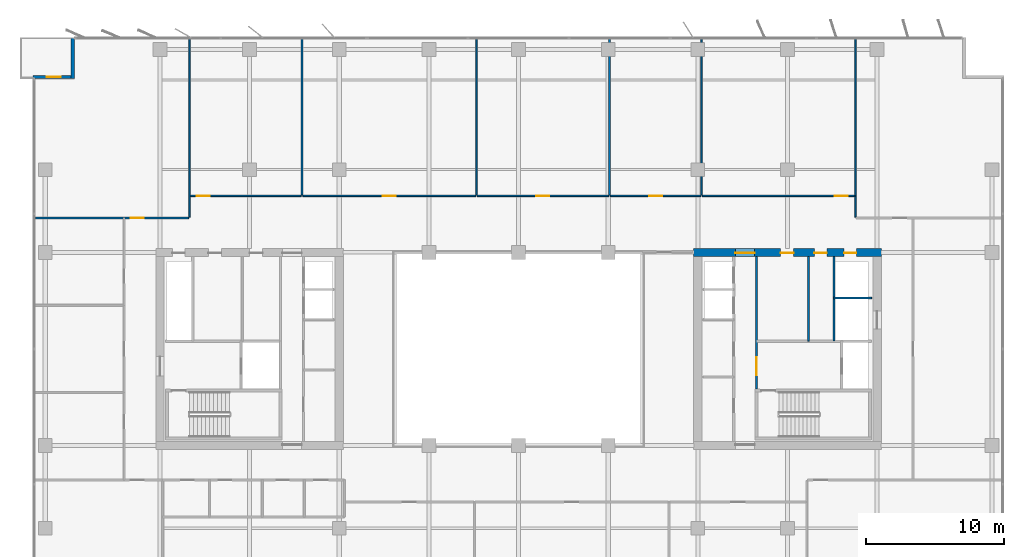
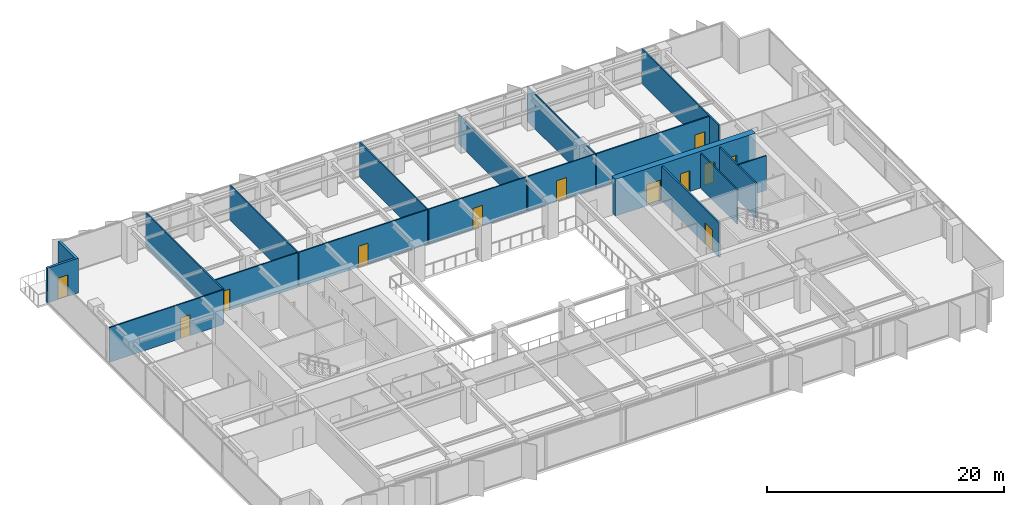
# One storey, part 17 of 22: 19 walls, 12 doors, 12 openings.
"""IFC4 building model written with IfcOpenShell, lengths in metres."""

import ifcopenshell
import ifcopenshell.guid

model = None  # the IFC model being written
_history = None  # IfcOwnerHistory: only IFC2X3 demands one
_inside = {}  # id of a spatial element -> (the spatial element, [elements in it])
_under = {}  # id of a project, library or spatial element -> (it, [spatial elements below it])
_declared = {}  # id of a project -> (the project, [libraries it declares])
_typed = {}  # id of a type object -> (the type object, [elements of that type])
_made_of = {}  # id of a material, layer set ... -> (it, [elements and type objects made of it])


def new_model(schema):
    """Start an empty IFC model of exactly this schema.

    Asked for "IFC4X3", IfcOpenShell would pick the latest addendum, in which some entities
    have other attributes; the version numbers below select the first issue.
    IFC2X3 requires an IfcOwnerHistory on every rooted entity: one is made here for all.
    """
    global model, _history
    if schema == "IFC4X3":
        model = ifcopenshell.file(schema_version=(4, 3, 0, 0))
    else:
        model = ifcopenshell.file(schema=schema)
    _inside.clear()
    _under.clear()
    _declared.clear()
    _typed.clear()
    _made_of.clear()
    _history = None
    if model.schema == "IFC2X3":
        org = make("IfcOrganization", Name="unknown")
        user = make(
            "IfcPersonAndOrganization",
            ThePerson=make("IfcPerson", FamilyName="unknown"),
            TheOrganization=org,
        )
        app = make(
            "IfcApplication",
            ApplicationDeveloper=org,
            Version="unknown",
            ApplicationFullName="unknown",
            ApplicationIdentifier="unknown",
        )
        _history = make(
            "IfcOwnerHistory",
            OwningUser=user,
            OwningApplication=app,
            ChangeAction="ADDED",
            CreationDate=0,
        )
    return model


def make(cls, **values):
    """One entity of the class cls with the attributes given. An attribute that is None is left unset."""
    return model.create_entity(
        cls, **{name: value for name, value in values.items() if value is not None}
    )


def rooted(cls, **values):
    """An entity with a GlobalId (a new one), such as an element, a storey or a relation."""
    return make(cls, GlobalId=ifcopenshell.guid.new(), OwnerHistory=_history, **values)


def si_unit(unit_type, name, prefix=None):
    """IfcSIUnit, for example si_unit("LENGTHUNIT", "METRE", prefix="MILLI")."""
    return make("IfcSIUnit", UnitType=unit_type, Prefix=prefix, Name=name)


def assignment(units):
    """IfcUnitAssignment: the units of a project."""
    return None if units is None else make("IfcUnitAssignment", Units=units)


def point(xyz):
    """IfcCartesianPoint."""
    return None if xyz is None else make("IfcCartesianPoint", Coordinates=xyz)


def direction(xyz):
    """IfcDirection."""
    return None if xyz is None else make("IfcDirection", DirectionRatios=xyz)


def frame(location, z_axis=None, x_axis=None):
    """IfcAxis2Placement3D, a coordinate frame: its origin and axes. An axis left out is left unset."""
    return make(
        "IfcAxis2Placement3D",
        Location=point(location),
        Axis=direction(z_axis),
        RefDirection=direction(x_axis),
    )


def frame_2d(location, x_axis=None):
    """IfcAxis2Placement2D, a coordinate frame in the plane: its origin and x axis."""
    return make(
        "IfcAxis2Placement2D", Location=point(location), RefDirection=direction(x_axis)
    )


def origin():
    """The frame at (0, 0, 0) with its axes left unset."""
    return frame((0.0, 0.0, 0.0))


def place(relative_to, where):
    """IfcLocalPlacement: puts the frame where relative to a parent placement (None: the world)."""
    return make(
        "IfcLocalPlacement", PlacementRelTo=relative_to, RelativePlacement=where
    )


def context(
    kind, dimensions, precision=None, world=None, true_north=None, identifier=None
):
    """IfcGeometricRepresentationContext, for example the 3D "Model" context."""
    return make(
        "IfcGeometricRepresentationContext",
        ContextIdentifier=identifier,
        ContextType=kind,
        CoordinateSpaceDimension=dimensions,
        Precision=precision,
        WorldCoordinateSystem=world,
        TrueNorth=true_north,
    )


def subcontext(parent, identifier, kind, view, scale=None):
    """IfcGeometricRepresentationSubContext, for example "Body" below "Model"."""
    return make(
        "IfcGeometricRepresentationSubContext",
        ContextIdentifier=identifier,
        ContextType=kind,
        ParentContext=parent,
        TargetScale=scale,
        TargetView=view,
    )


def project(units=None, contexts=None):
    """IfcProject with its units and contexts."""
    return rooted(
        "IfcProject",
        Name="project",
        RepresentationContexts=contexts,
        UnitsInContext=assignment(units),
    )


def spatial(cls, under=None, at=None, **own):
    """A site, building, storey or space (cls), placed at a placement, below another one or the project."""
    s = rooted(cls, ObjectPlacement=at, **own)
    if under is not None:
        _under.setdefault(under.id(), (under, []))[1].append(s)
    return s


def profile(cls, at=None, kind="AREA", **sizes):
    """A parametric profile (cls). Its sizes go by their IFC names, for example OverallWidth=200.0."""
    return make(cls, ProfileType=kind, Position=at, **sizes)


def rectangle(**sizes):
    """IfcRectangleProfileDef."""
    return profile("IfcRectangleProfileDef", **sizes)


def extrude(swept, where, along, depth):
    """IfcExtrudedAreaSolid: the profile swept, set in the frame where, extruded along a direction by depth."""
    return make(
        "IfcExtrudedAreaSolid",
        SweptArea=swept,
        Position=where,
        ExtrudedDirection=direction(along),
        Depth=depth,
    )


def shape(context_of_items, identifier, shape_type, items):
    """IfcShapeRepresentation: the items that make up one representation, for example the "Body"."""
    return make(
        "IfcShapeRepresentation",
        ContextOfItems=context_of_items,
        RepresentationIdentifier=identifier,
        RepresentationType=shape_type,
        Items=items,
    )


def material(Name=None, Category=None):
    """IfcMaterial."""
    return make("IfcMaterial", Name=Name, Category=Category)


def layer(
    of_material, thickness, ventilated=None, Name=None, Category=None, Priority=None
):
    """IfcMaterialLayer: one layer of a wall or slab, of a material (None: an air gap)."""
    return make(
        "IfcMaterialLayer",
        Material=of_material,
        LayerThickness=thickness,
        IsVentilated=ventilated,
        Name=Name,
        Category=Category,
        Priority=Priority,
    )


def layer_set(layers, Name=None):
    """IfcMaterialLayerSet."""
    return make("IfcMaterialLayerSet", MaterialLayers=layers, LayerSetName=Name)


def made_of(thing, what):
    """Note that an element or type object is made of a material, layer set ...; save() writes the relation."""
    if what is not None:
        _made_of.setdefault(what.id(), (what, []))[1].append(thing)
    return thing


def type_object(cls, material=None, **own):
    """A type object (cls), such as IfcWallType, which elements share."""
    return made_of(rooted(cls, **own), material)


def element(
    cls,
    number,
    at=None,
    inside=None,
    cuts=None,
    type_object=None,
    material=None,
    context=None,
    identifier="Body",
    shape_type=None,
    held_by="IfcProductDefinitionShape",
    body=None,
    shapes=None,
    **own,
):
    """One element of the class cls, such as IfcWall. Its Tag is "e" and its number.

    at: its placement. inside: the storey or other place that contains it. cuts: it is an
    opening in that element (IfcRelVoidsElement). A single representation is given by context,
    identifier, shape_type and body (its items); several are given by shapes. held_by: the class
    of the entity that holds the representations. save() writes the other relations.
    """
    e = rooted(cls, Tag="e%d" % number, ObjectPlacement=at, **own)
    if body is not None:
        shapes = [shape(context, identifier, shape_type, body)]
    if shapes is not None:
        e.Representation = make(held_by, Representations=shapes)
    if inside is not None:
        _inside.setdefault(inside.id(), (inside, []))[1].append(e)
    if cuts is not None:
        rooted(
            "IfcRelVoidsElement", RelatingBuildingElement=cuts, RelatedOpeningElement=e
        )
    if type_object is not None:
        _typed.setdefault(type_object.id(), (type_object, []))[1].append(e)
    return made_of(e, material)


def fill(opening, filler):
    """IfcRelFillsElement: the door or window that sits in an opening."""
    return rooted(
        "IfcRelFillsElement",
        RelatingOpeningElement=opening,
        RelatedBuildingElement=filler,
    )


def aggregate(whole, parts):
    """IfcRelAggregates: a whole, such as a stair, and the parts it consists of."""
    return rooted("IfcRelAggregates", RelatingObject=whole, RelatedObjects=parts)


def save(model, path):
    """Write the relations noted so far, then the file.

    IfcRelAggregates (storeys below a building ...), IfcRelContainedInSpatialStructure (elements
    in a storey), IfcRelDefinesByType, IfcRelAssociatesMaterial and IfcRelDeclares: one each for
    every whole, place, type object, material and project.
    """
    for whole, parts in _under.values():
        aggregate(whole, parts)
    for where, things in _inside.values():
        rooted(
            "IfcRelContainedInSpatialStructure",
            RelatedElements=things,
            RelatingStructure=where,
        )
    for kind, things in _typed.values():
        rooted("IfcRelDefinesByType", RelatedObjects=things, RelatingType=kind)
    for what, things in _made_of.values():
        rooted("IfcRelAssociatesMaterial", RelatedObjects=things, RelatingMaterial=what)
    for by, libraries in _declared.values():
        rooted("IfcRelDeclares", RelatingContext=by, RelatedDefinitions=libraries)
    model.write(path)


model = new_model("IFC4")

# Units and contexts
model_context = context("Model", 3, precision=1e-05, world=origin(), true_north=direction((0.0, 1.0)))
body_context = subcontext(model_context, "Body", "Model", "MODEL_VIEW")
ifc_project = project(units=[si_unit("LENGTHUNIT", "METRE"), si_unit("AREAUNIT", "SQUARE_METRE"), si_unit("VOLUMEUNIT", "CUBIC_METRE"), si_unit("PLANEANGLEUNIT", "RADIAN"), si_unit("MASSUNIT", "GRAM", prefix="KILO")], contexts=[model_context])

# Site, building, storey
site_placement = place(None, origin())
site = spatial("IfcSite", under=ifc_project, at=site_placement, CompositionType="ELEMENT")
building_placement = place(site_placement, origin())
building = spatial("IfcBuilding", under=site, at=building_placement, Name="Putna Gate Headquarters", CompositionType="ELEMENT")
storey_placement = place(building_placement, frame((0.0, 0.0, 151.800048828125)))
storey = spatial("IfcBuildingStorey", under=building, at=storey_placement, Name="L37", CompositionType="ELEMENT", Elevation=151.800048828125)

# Wall, openings, doors
ifc_material_1 = material(Name="Concrete C50/60", Category="concrete")
ifc_layer_1 = layer(ifc_material_1, 0.60009765625)
ifc_layer_set_1 = layer_set([ifc_layer_1], Name="Concrete C50/60")
wall_type_1 = type_object("IfcWallType", Name="WALL-CORE-600", PredefinedType="SHEAR", material=ifc_layer_set_1)
wall_1_placement = place(storey_placement, frame((51.699951171875, 33.0, 0.0), z_axis=(0.0, 0.0, 1.0), x_axis=(1.0, 0.0, 0.0)))
wall_1 = element("IfcWall", 1, at=wall_1_placement, inside=storey, type_object=wall_type_1, Name="L37 EC Split Core Shear Wall N", PredefinedType="SHEAR", context=body_context, shape_type="SweptSolid", body=[
    extrude(rectangle(XDim=13.60009765625, YDim=0.60009765625, at=frame_2d((6.800048828125, 0.0))), origin(), (0.0, 0.0, 1.0), 3.800048828125),
])
opening_1_placement = place(wall_1_placement, frame((3.02001953125, 0.0, 0.0)))
opening_1 = element("IfcOpeningElement", 2, at=opening_1_placement, cuts=wall_1, Name="Opening FDD-140", PredefinedType="OPENING", context=body_context, shape_type="SweptSolid", body=[
    extrude(rectangle(XDim=1.39990234375, YDim=2.199951171875, at=frame_2d((0.699951171875, 1.10009765625))), frame((0.0, 0.31005859375, 0.0), z_axis=(0.0, -1.0, 0.0), x_axis=(1.0, 0.0, 0.0)), (0.0, 0.0, 1.0), 0.6201171875),
])
opening_2_placement = place(wall_1_placement, frame((10.89990234375, 0.0, 0.0)))
opening_2 = element("IfcOpeningElement", 3, at=opening_2_placement, cuts=wall_1, Name="Opening RD-90", PredefinedType="OPENING", context=body_context, shape_type="SweptSolid", body=[
    extrude(rectangle(XDim=0.89990234375, YDim=2.14990234375, at=frame_2d((0.449951171875, 1.074951171875))), frame((0.0, 0.31005859375, 0.0), z_axis=(0.0, -1.0, 0.0), x_axis=(1.0, 0.0, 0.0)), (0.0, 0.0, 1.0), 0.6201171875),
])
opening_3_placement = place(wall_1_placement, frame((6.300048828125, 0.0, 0.0)))
opening_3 = element("IfcOpeningElement", 4, at=opening_3_placement, cuts=wall_1, Name="Opening IDS-95", PredefinedType="OPENING", context=body_context, shape_type="SweptSolid", body=[
    extrude(rectangle(XDim=0.949951171875, YDim=2.14990234375, at=frame_2d((0.47509765625, 1.074951171875))), frame((0.0, 0.31005859375, 0.0), z_axis=(0.0, -1.0, 0.0), x_axis=(1.0, 0.0, 0.0)), (0.0, 0.0, 1.0), 0.6201171875),
])
opening_4_placement = place(wall_1_placement, frame((8.75, 0.0, 0.0)))
opening_4 = element("IfcOpeningElement", 5, at=opening_4_placement, cuts=wall_1, Name="Opening IDS-90", PredefinedType="OPENING", context=body_context, shape_type="SweptSolid", body=[
    extrude(rectangle(XDim=0.89990234375, YDim=2.14990234375, at=frame_2d((0.449951171875, 1.074951171875))), frame((0.0, 0.31005859375, 0.0), z_axis=(0.0, -1.0, 0.0), x_axis=(1.0, 0.0, 0.0)), (0.0, 0.0, 1.0), 0.6201171875),
])
ifc_material_2 = material(Name="Double steel fire door", Category="steel")
door_type_1 = type_object("IfcDoorType", Name="DOOR-FIRE-DBL-1400", OperationType="DOUBLE_DOOR_SINGLE_SWING", PredefinedType="DOOR", material=ifc_material_2)
door_1_placement = place(opening_1_placement, origin())
door_1 = element("IfcDoor", 6, at=door_1_placement, inside=storey, type_object=door_type_1, Name="L37 East Lift Lobby North Door", OperationType="DOUBLE_DOOR_SINGLE_SWING", OverallHeight=2.199951171875, OverallWidth=1.39990234375, PredefinedType="DOOR", context=body_context, shape_type="SweptSolid", body=[
    extrude(rectangle(XDim=1.39990234375, YDim=2.199951171875, at=frame_2d((0.699951171875, 1.10009765625))), frame((0.0, -0.02490234375, 0.0), z_axis=(0.0, -1.0, 0.0), x_axis=(1.0, 0.0, 0.0)), (0.0, 0.0, 1.0), 0.050048828125),
])
fill(opening_1, door_1)
ifc_material_3 = material(Name="Fire-rated utility door")
door_type_2 = type_object("IfcDoorType", Name="DOOR-INT-900", OperationType="NOTDEFINED", PredefinedType="DOOR", material=ifc_material_3)
door_2_placement = place(opening_4_placement, origin())
door_2 = element("IfcDoor", 7, at=door_2_placement, inside=storey, type_object=door_type_2, Name="L37 Electrical Plant Door", OperationType="SINGLE_SWING_LEFT", OverallHeight=2.14990234375, OverallWidth=0.89990234375, PredefinedType="DOOR", context=body_context, shape_type="SweptSolid", body=[
    extrude(rectangle(XDim=0.89990234375, YDim=2.14990234375, at=frame_2d((0.449951171875, 1.074951171875))), frame((0.0, -0.02490234375, 0.0), z_axis=(0.0, -1.0, 0.0), x_axis=(1.0, 0.0, 0.0)), (0.0, 0.0, 1.0), 0.050048828125),
])
fill(opening_4, door_2)
ifc_material_4 = material(Name="Fire-rated service timber door", Category="wood")
door_type_3 = type_object("IfcDoorType", Name="DOOR-INT-950", OperationType="NOTDEFINED", PredefinedType="DOOR", material=ifc_material_4)
door_3_placement = place(opening_3_placement, origin())
door_3 = element("IfcDoor", 8, at=door_3_placement, inside=storey, type_object=door_type_3, Name="L37 East Store Door", OperationType="SINGLE_SWING_RIGHT", OverallHeight=2.14990234375, OverallWidth=0.949951171875, PredefinedType="DOOR", context=body_context, shape_type="SweptSolid", body=[
    extrude(rectangle(XDim=0.949951171875, YDim=2.14990234375, at=frame_2d((0.47509765625, 1.074951171875))), frame((0.0, -0.02490234375, 0.0), z_axis=(0.0, -1.0, 0.0), x_axis=(1.0, 0.0, 0.0)), (0.0, 0.0, 1.0), 0.050048828125),
])
fill(opening_3, door_3)
ifc_material_5 = material(Name="Steel riser access fire door", Category="steel")
door_type_4 = type_object("IfcDoorType", Name="DOOR-RISER-900", OperationType="NOTDEFINED", PredefinedType="DOOR", material=ifc_material_5)
door_4_placement = place(opening_2_placement, origin())
door_4 = element("IfcDoor", 9, at=door_4_placement, inside=storey, type_object=door_type_4, Name="L37 East Riser Access Door", OperationType="SINGLE_SWING_LEFT", OverallHeight=2.14990234375, OverallWidth=0.89990234375, PredefinedType="DOOR", context=body_context, shape_type="SweptSolid", body=[
    extrude(rectangle(XDim=0.89990234375, YDim=2.14990234375, at=frame_2d((0.449951171875, 1.074951171875))), frame((0.0, -0.02490234375, 0.0), z_axis=(0.0, -1.0, 0.0), x_axis=(1.0, 0.0, 0.0)), (0.0, 0.0, 1.0), 0.050048828125),
])
fill(opening_2, door_4)

# Wall
ifc_material_6 = material(Name="Precast concrete C40/50", Category="concrete")
ifc_layer_2 = layer(ifc_material_6, 0.239990234375)
ifc_layer_set_2 = layer_set([ifc_layer_2], Name="Precast concrete C40/50")
wall_type_2 = type_object("IfcWallType", Name="WALL-EXT-TERR-240", PredefinedType="STANDARD", material=ifc_layer_set_2)
wall_2_placement = place(storey_placement, frame((6.679931640625, 45.60009765625, 0.0), z_axis=(0.0, 0.0, 1.0), x_axis=(0.0, 1.0, 0.0)))
element("IfcWall", 10, at=wall_2_placement, inside=storey, type_object=wall_type_2, Name="L37 Corner Notch Return Wall NW-V", PredefinedType="STANDARD", context=body_context, shape_type="SweptSolid", body=[
    extrude(rectangle(XDim=3.0, YDim=0.239990234375, at=frame_2d((1.5, 0.0))), origin(), (0.0, 0.0, 1.0), 3.572021484375),
])

# Wall, opening, door
wall_3_placement = place(storey_placement, frame((3.800048828125, 45.719970703125, 0.0), z_axis=(0.0, 0.0, 1.0), x_axis=(1.0, 0.0, 0.0)))
wall_3 = element("IfcWall", 11, at=wall_3_placement, inside=storey, type_object=wall_type_2, Name="L37 Corner Notch Return Wall NW-H", PredefinedType="STANDARD", context=body_context, shape_type="SweptSolid", body=[
    extrude(rectangle(XDim=3.0, YDim=0.239990234375, at=frame_2d((1.5, 0.0))), origin(), (0.0, 0.0, 1.0), 3.572021484375),
])
opening_5_placement = place(wall_3_placement, frame((1.0, 0.0, 0.0)))
opening_5 = element("IfcOpeningElement", 12, at=opening_5_placement, cuts=wall_3, Name="Opening TRD-1", PredefinedType="OPENING", context=body_context, shape_type="SweptSolid", body=[
    extrude(rectangle(XDim=1.0, YDim=2.199951171875, at=frame_2d((0.5, 1.10009765625))), frame((0.0, 0.1298828125, 0.0), z_axis=(0.0, -1.0, 0.0), x_axis=(1.0, 0.0, 0.0)), (0.0, 0.0, 1.0), 0.260009765625),
])
ifc_material_7 = material(Name="Thermally broken bronze glazed terrace door")
door_type_5 = type_object("IfcDoorType", Name="DOOR-TERR-EXT-1000", OperationType="NOTDEFINED", PredefinedType="DOOR", material=ifc_material_7)
door_5_placement = place(opening_5_placement, origin())
door_5 = element("IfcDoor", 13, at=door_5_placement, inside=storey, type_object=door_type_5, Name="L37 Spiral Sky Terrace Door NW", OperationType="SINGLE_SWING_RIGHT", OverallHeight=2.199951171875, OverallWidth=1.0, PredefinedType="DOOR", context=body_context, shape_type="SweptSolid", body=[
    extrude(rectangle(XDim=1.0, YDim=2.199951171875, at=frame_2d((0.5, 1.10009765625))), frame((0.0, 0.02490234375, 0.0), z_axis=(0.0, -1.0, 0.0), x_axis=(1.0, 0.0, 0.0)), (0.0, 0.0, 1.0), 0.050048828125),
])
fill(opening_5, door_5)

# Walls
ifc_material_8 = material(Name="Acoustic gypsum board on metal stud")
ifc_layer_3 = layer(ifc_material_8, 0.1201171875)
ifc_layer_set_3 = layer_set([ifc_layer_3], Name="Acoustic gypsum board on metal stud")
wall_type_3 = type_object("IfcWallType", Name="WALL-PART-120", PredefinedType="PARTITIONING", material=ifc_layer_set_3)
wall_4_placement = place(storey_placement, frame((15.13037109375, 35.56005859375, 0.0), z_axis=(0.0, 0.0, 1.0), x_axis=(0.0, 1.0, 0.0)))
element("IfcWall", 14, at=wall_4_placement, inside=storey, type_object=wall_type_3, Name="L37 Interior Wall PART-L37-NB-DIV-01", PredefinedType="PARTITIONING", context=body_context, shape_type="SweptSolid", body=[
    extrude(rectangle(XDim=13.02001953125, YDim=0.1201171875, at=frame_2d((6.510009765625, 0.0))), origin(), (0.0, 0.0, 1.0), 3.572021484375),
])
for number, where, z_axis, x_axis, name in (
    (15, (23.297119140625, 37.159912109375, 0.0), (0.0, 0.0, 1.0), (0.0, 1.0, 0.0), "L37 Interior Wall PART-L37-NB-DIV-02"),
    (16, (35.939208984375, 37.159912109375, 0.0), (0.0, 0.0, 1.0), (0.0, 1.0, 0.0), "L37 Interior Wall PART-L37-NB-DIV-03"),
):
    element("IfcWall", number, at=place(storey_placement, frame(where, z_axis=z_axis, x_axis=x_axis)), inside=storey, type_object=wall_type_3, Name=name, PredefinedType="PARTITIONING", context=body_context, shape_type="SweptSolid", body=[
        extrude(rectangle(XDim=11.420166015625, YDim=0.1201171875, at=frame_2d((5.7099609375, 0.0))), origin(), (0.0, 0.0, 1.0), 3.572021484375),
    ])
wall_5_placement = place(storey_placement, frame((45.597900390625, 37.159912109375, 0.0), z_axis=(0.0, 0.0, 1.0), x_axis=(0.0, 1.0, 0.0)))
element("IfcWall", 17, at=wall_5_placement, inside=storey, type_object=wall_type_3, Name="L37 Interior Wall PART-L37-NB-DIV-04", PredefinedType="PARTITIONING", context=body_context, shape_type="SweptSolid", body=[
    extrude(rectangle(XDim=11.420166015625, YDim=0.1201171875, at=frame_2d((5.7099609375, 0.0))), origin(), (0.0, 0.0, 1.0), 3.02197265625),
])
wall_6_placement = place(storey_placement, frame((52.272705078125, 37.159912109375, 0.0), z_axis=(0.0, 0.0, 1.0), x_axis=(0.0, 1.0, 0.0)))
element("IfcWall", 18, at=wall_6_placement, inside=storey, type_object=wall_type_3, Name="L37 Interior Wall PART-L37-NB-DIV-05", PredefinedType="PARTITIONING", context=body_context, shape_type="SweptSolid", body=[
    extrude(rectangle(XDim=11.420166015625, YDim=0.1201171875, at=frame_2d((5.7099609375, 0.0))), origin(), (0.0, 0.0, 1.0), 3.572021484375),
])
wall_7_placement = place(storey_placement, frame((63.4228515625, 35.56005859375, 0.0), z_axis=(0.0, 0.0, 1.0), x_axis=(0.0, 1.0, 0.0)))
element("IfcWall", 19, at=wall_7_placement, inside=storey, type_object=wall_type_3, Name="L37 Interior Wall PART-L37-NB-DIV-06", PredefinedType="PARTITIONING", context=body_context, shape_type="SweptSolid", body=[
    extrude(rectangle(XDim=13.02001953125, YDim=0.1201171875, at=frame_2d((6.510009765625, 0.0))), origin(), (0.0, 0.0, 1.0), 3.572021484375),
])
ifc_material_9 = material(Name="Fire-rated shaftwall gypsum board on metal stud")
ifc_layer_4 = layer(ifc_material_9, 0.1201171875)
ifc_layer_set_4 = layer_set([ifc_layer_4], Name="Fire-rated shaftwall gypsum board on metal stud")
wall_type_4 = type_object("IfcWallType", Name="WALL-PART-120-EI120", PredefinedType="PARTITIONING", material=ifc_layer_set_4)
wall_8_placement = place(storey_placement, frame((61.8701171875, 29.699951171875, 0.0), z_axis=(0.0, 0.0, 1.0), x_axis=(1.0, 0.0, 0.0)))
element("IfcWall", 20, at=wall_8_placement, inside=storey, type_object=wall_type_4, Name="L37 Interior Wall CWINT-L37-EC-LF15-N", PredefinedType="PARTITIONING", context=body_context, shape_type="SweptSolid", body=[
    extrude(rectangle(XDim=2.72998046875, YDim=0.1201171875, at=frame_2d((1.364990234375, 0.0))), origin(), (0.0, 0.0, 1.0), 3.572021484375),
])
ifc_material_10 = material(Name="Fire-rated gypsum board on metal stud")
ifc_layer_5 = layer(ifc_material_10, 0.1201171875)
ifc_layer_set_5 = layer_set([ifc_layer_5], Name="Fire-rated gypsum board on metal stud")
wall_type_5 = type_object("IfcWallType", Name="WALL-PART-120-RATED", PredefinedType="PARTITIONING", material=ifc_layer_set_5)
wall_9_placement = place(storey_placement, frame((60.02001953125, 26.56005859375, 0.0), z_axis=(0.0, 0.0, 1.0), x_axis=(0.0, 1.0, 0.0)))
element("IfcWall", 21, at=wall_9_placement, inside=storey, type_object=wall_type_5, Name="L37 Interior Wall CWINT-L37-EC-K0-DIV", PredefinedType="PARTITIONING", context=body_context, shape_type="SweptSolid", body=[
    extrude(rectangle(XDim=6.139892578125, YDim=0.1201171875, at=frame_2d((3.06982421875, 0.0))), origin(), (0.0, 0.0, 1.0), 3.572021484375),
])

# Wall, opening, door
wall_10_placement = place(storey_placement, frame((3.97998046875, 35.5, 0.0), z_axis=(0.0, 0.0, 1.0), x_axis=(1.0, 0.0, 0.0)))
wall_10 = element("IfcWall", 22, at=wall_10_placement, inside=storey, type_object=wall_type_5, Name="L37 Interior Wall PART-L37-NB-CW-01", PredefinedType="PARTITIONING", context=body_context, shape_type="SweptSolid", body=[
    extrude(rectangle(XDim=11.09033203125, YDim=0.1201171875, at=frame_2d((5.545166015625, 0.0))), origin(), (0.0, 0.0, 1.0), 3.572021484375),
])
opening_6_placement = place(wall_10_placement, frame((6.89990234375, 0.0, 0.0)))
opening_6 = element("IfcOpeningElement", 23, at=opening_6_placement, cuts=wall_10, Name="Opening FD-95", PredefinedType="OPENING", context=body_context, shape_type="SweptSolid", body=[
    extrude(rectangle(XDim=0.949951171875, YDim=2.14990234375, at=frame_2d((0.47509765625, 1.074951171875))), frame((0.0, 0.070068359375, 0.0), z_axis=(0.0, -1.0, 0.0), x_axis=(1.0, 0.0, 0.0)), (0.0, 0.0, 1.0), 0.14013671875),
])
ifc_material_11 = material(Name="Acoustic timber fire door", Category="wood")
door_type_6 = type_object("IfcDoorType", Name="DOOR-FIRE-950", OperationType="NOTDEFINED", PredefinedType="DOOR", material=ifc_material_11)
door_6_placement = place(opening_6_placement, origin())
door_6 = element("IfcDoor", 24, at=door_6_placement, inside=storey, type_object=door_type_6, Name="L37 Cellular Office 1 Door", OperationType="SINGLE_SWING_RIGHT", OverallHeight=2.14990234375, OverallWidth=0.949951171875, PredefinedType="DOOR", context=body_context, shape_type="SweptSolid", body=[
    extrude(rectangle(XDim=0.949951171875, YDim=2.14990234375, at=frame_2d((0.47509765625, 1.074951171875))), frame((0.0, 0.02490234375, 0.0), z_axis=(0.0, -1.0, 0.0), x_axis=(1.0, 0.0, 0.0)), (0.0, 0.0, 1.0), 0.050048828125),
])
fill(opening_6, door_6)

wall_11_placement = place(storey_placement, frame((15.1904296875, 37.10009765625, 0.0), z_axis=(0.0, 0.0, 1.0), x_axis=(1.0, 0.0, 0.0)))
wall_11 = element("IfcWall", 25, at=wall_11_placement, inside=storey, type_object=wall_type_5, Name="L37 Interior Wall PART-L37-NB-CW-02", PredefinedType="PARTITIONING", context=body_context, shape_type="SweptSolid", body=[
    extrude(rectangle(XDim=8.046630859375, YDim=0.1201171875, at=frame_2d((4.0234375, 0.0))), origin(), (0.0, 0.0, 1.0), 3.572021484375),
])
opening_7_placement = place(wall_11_placement, frame((0.47998046875, 0.0, 0.0)))
opening_7 = element("IfcOpeningElement", 26, at=opening_7_placement, cuts=wall_11, Name="Opening FD-95", PredefinedType="OPENING", context=body_context, shape_type="SweptSolid", body=[
    extrude(rectangle(XDim=0.949951171875, YDim=2.14990234375, at=frame_2d((0.47509765625, 1.074951171875))), frame((0.0, 0.070068359375, 0.0), z_axis=(0.0, -1.0, 0.0), x_axis=(1.0, 0.0, 0.0)), (0.0, 0.0, 1.0), 0.14013671875),
])
door_7_placement = place(opening_7_placement, origin())
door_7 = element("IfcDoor", 27, at=door_7_placement, inside=storey, type_object=door_type_6, Name="L37 Conference Meeting Room 2 Door", OperationType="SINGLE_SWING_LEFT", OverallHeight=2.14990234375, OverallWidth=0.949951171875, PredefinedType="DOOR", context=body_context, shape_type="SweptSolid", body=[
    extrude(rectangle(XDim=0.949951171875, YDim=2.14990234375, at=frame_2d((0.47509765625, 1.074951171875))), frame((0.0, 0.02490234375, 0.0), z_axis=(0.0, -1.0, 0.0), x_axis=(1.0, 0.0, 0.0)), (0.0, 0.0, 1.0), 0.050048828125),
])
fill(opening_7, door_7)

wall_12_placement = place(storey_placement, frame((23.35693359375, 37.10009765625, 0.0), z_axis=(0.0, 0.0, 1.0), x_axis=(1.0, 0.0, 0.0)))
wall_12 = element("IfcWall", 28, at=wall_12_placement, inside=storey, type_object=wall_type_5, Name="L37 Interior Wall PART-L37-NB-CW-03", PredefinedType="PARTITIONING", context=body_context, shape_type="SweptSolid", body=[
    extrude(rectangle(XDim=12.5224609375, YDim=0.1201171875, at=frame_2d((6.26123046875, 0.0))), origin(), (0.0, 0.0, 1.0), 3.572021484375),
])
opening_8_placement = place(wall_12_placement, frame((5.7861328125, 0.0, 0.0)))
opening_8 = element("IfcOpeningElement", 29, at=opening_8_placement, cuts=wall_12, Name="Opening FD-95", PredefinedType="OPENING", context=body_context, shape_type="SweptSolid", body=[
    extrude(rectangle(XDim=0.949951171875, YDim=2.14990234375, at=frame_2d((0.47509765625, 1.074951171875))), frame((0.0, 0.070068359375, 0.0), z_axis=(0.0, -1.0, 0.0), x_axis=(1.0, 0.0, 0.0)), (0.0, 0.0, 1.0), 0.14013671875),
])
door_8_placement = place(opening_8_placement, origin())
door_8 = element("IfcDoor", 30, at=door_8_placement, inside=storey, type_object=door_type_6, Name="L37 Conference Meeting Room 3 Door", OperationType="SINGLE_SWING_RIGHT", OverallHeight=2.14990234375, OverallWidth=0.949951171875, PredefinedType="DOOR", context=body_context, shape_type="SweptSolid", body=[
    extrude(rectangle(XDim=0.949951171875, YDim=2.14990234375, at=frame_2d((0.47509765625, 1.074951171875))), frame((0.0, 0.02490234375, 0.0), z_axis=(0.0, -1.0, 0.0), x_axis=(1.0, 0.0, 0.0)), (0.0, 0.0, 1.0), 0.050048828125),
])
fill(opening_8, door_8)

wall_13_placement = place(storey_placement, frame((35.999267578125, 37.10009765625, 0.0), z_axis=(0.0, 0.0, 1.0), x_axis=(1.0, 0.0, 0.0)))
wall_13 = element("IfcWall", 31, at=wall_13_placement, inside=storey, type_object=wall_type_5, Name="L37 Interior Wall PART-L37-NB-CW-04", PredefinedType="PARTITIONING", context=body_context, shape_type="SweptSolid", body=[
    extrude(rectangle(XDim=9.53857421875, YDim=0.1201171875, at=frame_2d((4.769287109375, 0.0))), origin(), (0.0, 0.0, 1.0), 3.572021484375),
])
opening_9_placement = place(wall_13_placement, frame((4.294189453125, 0.0, 0.0)))
opening_9 = element("IfcOpeningElement", 32, at=opening_9_placement, cuts=wall_13, Name="Opening FD-95", PredefinedType="OPENING", context=body_context, shape_type="SweptSolid", body=[
    extrude(rectangle(XDim=0.949951171875, YDim=2.14990234375, at=frame_2d((0.47509765625, 1.074951171875))), frame((0.0, 0.070068359375, 0.0), z_axis=(0.0, -1.0, 0.0), x_axis=(1.0, 0.0, 0.0)), (0.0, 0.0, 1.0), 0.14013671875),
])
door_9_placement = place(opening_9_placement, origin())
door_9 = element("IfcDoor", 33, at=door_9_placement, inside=storey, type_object=door_type_6, Name="L37 Collaborative Breakout Lounge 1 Door", OperationType="SINGLE_SWING_LEFT", OverallHeight=2.14990234375, OverallWidth=0.949951171875, PredefinedType="DOOR", context=body_context, shape_type="SweptSolid", body=[
    extrude(rectangle(XDim=0.949951171875, YDim=2.14990234375, at=frame_2d((0.47509765625, 1.074951171875))), frame((0.0, 0.02490234375, 0.0), z_axis=(0.0, -1.0, 0.0), x_axis=(1.0, 0.0, 0.0)), (0.0, 0.0, 1.0), 0.050048828125),
])
fill(opening_9, door_9)

wall_14_placement = place(storey_placement, frame((45.65771484375, 37.10009765625, 0.0), z_axis=(0.0, 0.0, 1.0), x_axis=(1.0, 0.0, 0.0)))
wall_14 = element("IfcWall", 34, at=wall_14_placement, inside=storey, type_object=wall_type_5, Name="L37 Interior Wall PART-L37-NB-CW-05", PredefinedType="PARTITIONING", context=body_context, shape_type="SweptSolid", body=[
    extrude(rectangle(XDim=6.554931640625, YDim=0.1201171875, at=frame_2d((3.27734375, 0.0))), origin(), (0.0, 0.0, 1.0), 3.572021484375),
])
opening_10_placement = place(wall_14_placement, frame((2.802490234375, 0.0, 0.0)))
opening_10 = element("IfcOpeningElement", 35, at=opening_10_placement, cuts=wall_14, Name="Opening FD-95", PredefinedType="OPENING", context=body_context, shape_type="SweptSolid", body=[
    extrude(rectangle(XDim=0.949951171875, YDim=2.14990234375, at=frame_2d((0.47509765625, 1.074951171875))), frame((0.0, 0.070068359375, 0.0), z_axis=(0.0, -1.0, 0.0), x_axis=(1.0, 0.0, 0.0)), (0.0, 0.0, 1.0), 0.14013671875),
])
door_10_placement = place(opening_10_placement, origin())
door_10 = element("IfcDoor", 36, at=door_10_placement, inside=storey, type_object=door_type_6, Name="L37 Collaborative Breakout Lounge 2 Door", OperationType="SINGLE_SWING_RIGHT", OverallHeight=2.14990234375, OverallWidth=0.949951171875, PredefinedType="DOOR", context=body_context, shape_type="SweptSolid", body=[
    extrude(rectangle(XDim=0.949951171875, YDim=2.14990234375, at=frame_2d((0.47509765625, 1.074951171875))), frame((0.0, 0.02490234375, 0.0), z_axis=(0.0, -1.0, 0.0), x_axis=(1.0, 0.0, 0.0)), (0.0, 0.0, 1.0), 0.050048828125),
])
fill(opening_10, door_10)

wall_15_placement = place(storey_placement, frame((52.33251953125, 37.10009765625, 0.0), z_axis=(0.0, 0.0, 1.0), x_axis=(1.0, 0.0, 0.0)))
wall_15 = element("IfcWall", 37, at=wall_15_placement, inside=storey, type_object=wall_type_5, Name="L37 Interior Wall PART-L37-NB-CW-06", PredefinedType="PARTITIONING", context=body_context, shape_type="SweptSolid", body=[
    extrude(rectangle(XDim=11.0302734375, YDim=0.1201171875, at=frame_2d((5.51513671875, 0.0))), origin(), (0.0, 0.0, 1.0), 3.572021484375),
])
opening_11_placement = place(wall_15_placement, frame((9.600341796875, 0.0, 0.0)))
opening_11 = element("IfcOpeningElement", 38, at=opening_11_placement, cuts=wall_15, Name="Opening FD-95", PredefinedType="OPENING", context=body_context, shape_type="SweptSolid", body=[
    extrude(rectangle(XDim=0.949951171875, YDim=2.14990234375, at=frame_2d((0.47509765625, 1.074951171875))), frame((0.0, 0.070068359375, 0.0), z_axis=(0.0, -1.0, 0.0), x_axis=(1.0, 0.0, 0.0)), (0.0, 0.0, 1.0), 0.14013671875),
])
door_11_placement = place(opening_11_placement, origin())
door_11 = element("IfcDoor", 39, at=door_11_placement, inside=storey, type_object=door_type_6, Name="L37 Quiet Wellness Focus Studio 1 Door", OperationType="SINGLE_SWING_LEFT", OverallHeight=2.14990234375, OverallWidth=0.949951171875, PredefinedType="DOOR", context=body_context, shape_type="SweptSolid", body=[
    extrude(rectangle(XDim=0.949951171875, YDim=2.14990234375, at=frame_2d((0.47509765625, 1.074951171875))), frame((0.0, 0.02490234375, 0.0), z_axis=(0.0, -1.0, 0.0), x_axis=(1.0, 0.0, 0.0)), (0.0, 0.0, 1.0), 0.050048828125),
])
fill(opening_11, door_11)

ifc_material_12 = material(Name="Concrete C40/50", Category="concrete")
ifc_layer_6 = layer(ifc_material_12, 0.159912109375)
ifc_layer_set_6 = layer_set([ifc_layer_6], Name="Concrete C40/50")
wall_type_6 = type_object("IfcWallType", Name="WALL-SHAFT-160", PredefinedType="STANDARD", material=ifc_layer_set_6)
wall_16_placement = place(storey_placement, frame((56.260009765625, 23.090087890625, 0.0), z_axis=(0.0, 0.0, 1.0), x_axis=(0.0, 1.0, 0.0)))
wall_16 = element("IfcWall", 40, at=wall_16_placement, inside=storey, type_object=wall_type_6, Name="L37 Interior Wall CWINT-L37-EC-LOB-E", PredefinedType="STANDARD", context=body_context, shape_type="SweptSolid", body=[
    extrude(rectangle(XDim=9.60986328125, YDim=0.159912109375, at=frame_2d((4.804931640625, 0.0))), origin(), (0.0, 0.0, 1.0), 3.572021484375),
])
opening_12_placement = place(wall_16_placement, frame((1.010009765625, 0.0, 0.0)))
opening_12 = element("IfcOpeningElement", 41, at=opening_12_placement, cuts=wall_16, Name="Opening FDD-130", PredefinedType="OPENING", context=body_context, shape_type="SweptSolid", body=[
    extrude(rectangle(XDim=1.300048828125, YDim=2.199951171875, at=frame_2d((0.64990234375, 1.10009765625))), frame((0.0, 0.08984375, 0.0), z_axis=(0.0, -1.0, 0.0), x_axis=(1.0, 0.0, 0.0)), (0.0, 0.0, 1.0), 0.179931640625),
])
ifc_material_13 = material(Name="Double steel lobby fire door", Category="steel")
door_type_7 = type_object("IfcDoorType", Name="DOOR-FIRE-DBL-1300", OperationType="DOUBLE_DOOR_SINGLE_SWING", PredefinedType="DOOR", material=ifc_material_13)
door_12_placement = place(opening_12_placement, origin())
door_12 = element("IfcDoor", 42, at=door_12_placement, inside=storey, type_object=door_type_7, Name="L37 East Firefighting Lobby Door", OperationType="DOUBLE_DOOR_SINGLE_SWING", OverallHeight=2.199951171875, OverallWidth=1.300048828125, PredefinedType="DOOR", context=body_context, shape_type="SweptSolid", body=[
    extrude(rectangle(XDim=1.300048828125, YDim=2.199951171875, at=frame_2d((0.64990234375, 1.10009765625))), frame((0.0, 0.02490234375, 0.0), z_axis=(0.0, -1.0, 0.0), x_axis=(1.0, 0.0, 0.0)), (0.0, 0.0, 1.0), 0.050048828125),
])
fill(opening_12, door_12)

# Wall
wall_17_placement = place(storey_placement, frame((61.8701171875, 26.56005859375, 0.0), z_axis=(0.0, 0.0, 1.0), x_axis=(0.0, 1.0, 0.0)))
element("IfcWall", 43, at=wall_17_placement, inside=storey, type_object=wall_type_6, Name="L37 Interior Wall CWINT-L37-EC-LF15-W", PredefinedType="STANDARD", context=body_context, shape_type="SweptSolid", body=[
    extrude(rectangle(XDim=6.139892578125, YDim=0.159912109375, at=frame_2d((3.06982421875, 0.0))), origin(), (0.0, 0.0, 1.0), 3.572021484375),
])

save(model, "model.ifc")
